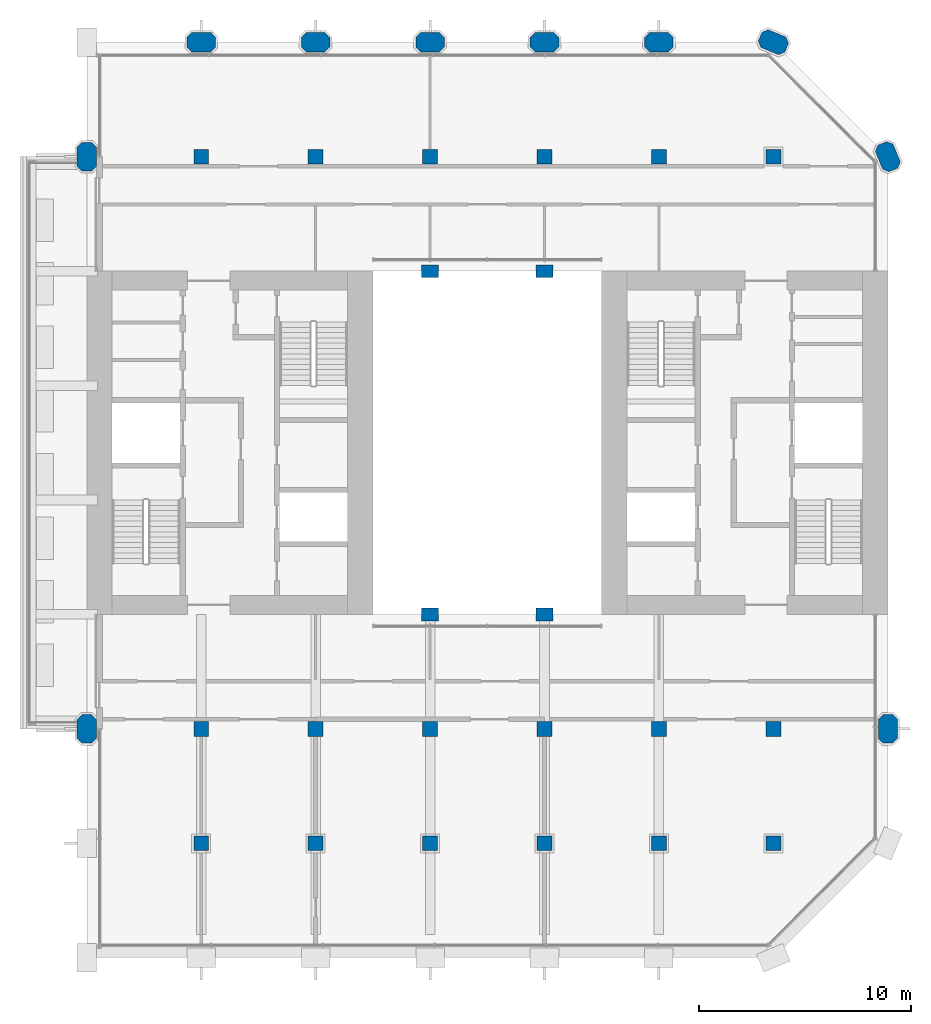
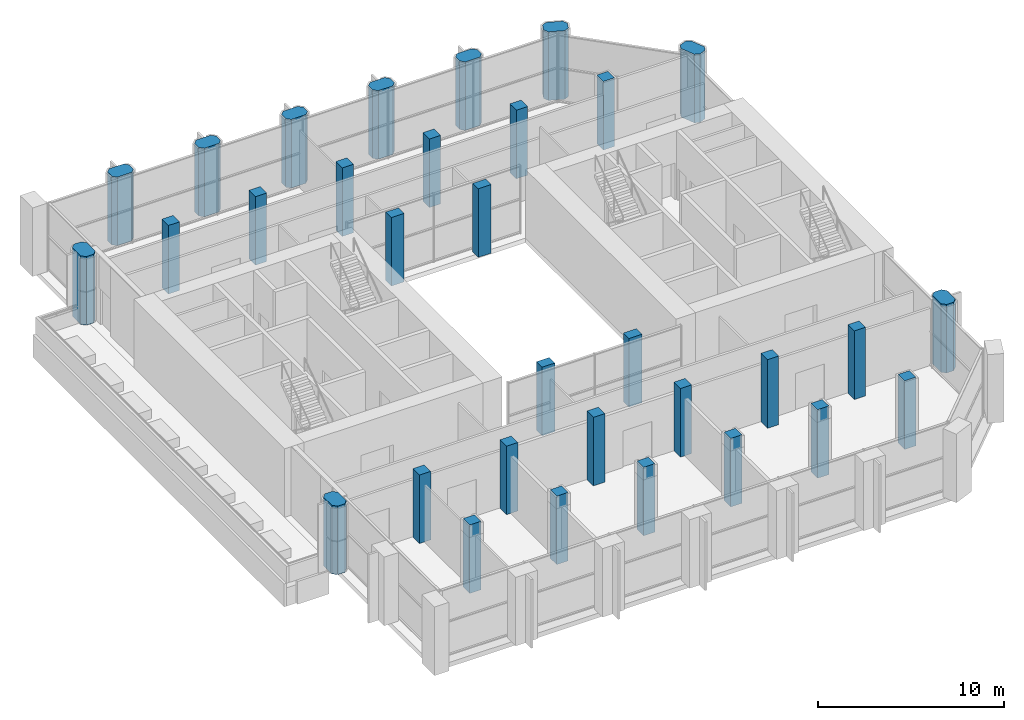
# One storey, part 1 of 14: 32 columns.
"""IFC4 building model written with IfcOpenShell, lengths in metres."""

from ifc_helpers import new_model, si_unit, direction, frame, origin, origin_2d, place, context, subcontext, project, spatial, polyline, rectangle, outline, extrude, material, material_profile, profile_set, type_object, element, save


model = new_model("IFC4")

# Units and contexts
model_context = context("Model", 3, precision=1e-05, world=origin(), true_north=direction((0.0, 1.0)))
body_context = subcontext(model_context, "Body", "Model", "MODEL_VIEW")
ifc_project = project(units=[si_unit("LENGTHUNIT", "METRE"), si_unit("AREAUNIT", "SQUARE_METRE"), si_unit("VOLUMEUNIT", "CUBIC_METRE"), si_unit("PLANEANGLEUNIT", "RADIAN"), si_unit("MASSUNIT", "GRAM", prefix="KILO")], contexts=[model_context])

# Site, building, storey
site_placement = place(None, origin())
site = spatial("IfcSite", under=ifc_project, at=site_placement, CompositionType="ELEMENT")
building_placement = place(site_placement, origin())
building = spatial("IfcBuilding", under=site, at=building_placement, Name="Tabaq Tower and Sports Hall", CompositionType="ELEMENT")
storey_placement = place(building_placement, frame((0.0, 0.0, 250.89990234375)))
storey = spatial("IfcBuildingStorey", under=building, at=storey_placement, Name="L61", CompositionType="ELEMENT", Elevation=250.89990234375)

# Columns
ifc_material_1 = material(Name="Concrete C40/50", Category="concrete")
ifc_material_profile_1 = material_profile(ifc_material_1, rectangle(XDim=0.800048828125, YDim=0.60009765625, at=origin_2d()), Name="ATRIUM COLUMN 800x600")
ifc_profile_set_1 = profile_set([ifc_material_profile_1], Name="Concrete C40/50")
column_type_1 = type_object("IfcColumnType", Name="RC COLUMN ATRIUM COLUMN 800x600 C40/50", PredefinedType="COLUMN", material=ifc_profile_set_1)
for number, where, z_axis, x_axis, name in (
    (1, (21.60009765625, 16.199951171875, 0.0), (0.0, 0.0, 1.0), (1.0, 0.0, 0.0), "Atrium Column 5/D L61"),
    (2, (27.0, 16.199951171875, 0.0), (0.0, 0.0, 1.0), (1.0, 0.0, 0.0), "Atrium Column 6/D L61"),
    (3, (21.60009765625, 32.39990234375, 0.0), (0.0, 0.0, 1.0), (1.0, 0.0, 0.0), "Atrium Column 5/G L61"),
    (4, (27.0, 32.39990234375, 0.0), (0.0, 0.0, 1.0), (1.0, 0.0, 0.0), "Atrium Column 6/G L61"),
):
    element("IfcColumn", number, at=place(storey_placement, frame(where, z_axis=z_axis, x_axis=x_axis)), inside=storey, type_object=column_type_1, Name=name, PredefinedType="COLUMN", context=body_context, shape_type="SweptSolid", body=[
        extrude(rectangle(XDim=0.800048828125, YDim=0.60009765625, at=origin_2d()), origin(), (0.0, 0.0, 1.0), 4.5),
    ])
ifc_material_2 = material(Name="Concrete C40/50", Category="concrete")
ifc_material_profile_2 = material_profile(ifc_material_2, rectangle(XDim=0.699951171875, YDim=0.699951171875, at=origin_2d()), Name="COLUMN 700x700")
ifc_profile_set_2 = profile_set([ifc_material_profile_2], Name="Concrete C40/50")
column_type_2 = type_object("IfcColumnType", Name="RC COLUMN COLUMN 700x700 C40/50", PredefinedType="COLUMN", material=ifc_profile_set_2)
for number, where, z_axis, x_axis, name in (
    (5, (10.800048828125, 5.39990234375, 0.0), (0.0, 0.0, 1.0), (1.0, 0.0, 0.0), "Column 3/B L61"),
    (6, (16.199951171875, 5.39990234375, 0.0), (0.0, 0.0, 1.0), (1.0, 0.0, 0.0), "Column 4/B L61"),
    (7, (21.60009765625, 5.39990234375, 0.0), (0.0, 0.0, 1.0), (1.0, 0.0, 0.0), "Column 5/B L61"),
    (8, (27.0, 5.39990234375, 0.0), (0.0, 0.0, 1.0), (1.0, 0.0, 0.0), "Column 6/B L61"),
    (9, (32.39990234375, 5.39990234375, 0.0), (0.0, 0.0, 1.0), (1.0, 0.0, 0.0), "Column 7/B L61"),
    (10, (37.800048828125, 5.39990234375, 0.0), (0.0, 0.0, 1.0), (1.0, 0.0, 0.0), "Column 8/B L61"),
    (11, (10.800048828125, 10.800048828125, 0.0), (0.0, 0.0, 1.0), (1.0, 0.0, 0.0), "Column 3/C L61"),
    (12, (16.199951171875, 10.800048828125, 0.0), (0.0, 0.0, 1.0), (1.0, 0.0, 0.0), "Column 4/C L61"),
    (13, (21.60009765625, 10.800048828125, 0.0), (0.0, 0.0, 1.0), (1.0, 0.0, 0.0), "Column 5/C L61"),
    (14, (27.0, 10.800048828125, 0.0), (0.0, 0.0, 1.0), (1.0, 0.0, 0.0), "Column 6/C L61"),
    (15, (32.39990234375, 10.800048828125, 0.0), (0.0, 0.0, 1.0), (1.0, 0.0, 0.0), "Column 7/C L61"),
    (16, (37.800048828125, 10.800048828125, 0.0), (0.0, 0.0, 1.0), (1.0, 0.0, 0.0), "Column 8/C L61"),
    (17, (10.800048828125, 37.800048828125, 0.0), (0.0, 0.0, 1.0), (1.0, 0.0, 0.0), "Column 3/H L61"),
    (18, (16.199951171875, 37.800048828125, 0.0), (0.0, 0.0, 1.0), (1.0, 0.0, 0.0), "Column 4/H L61"),
    (19, (21.60009765625, 37.800048828125, 0.0), (0.0, 0.0, 1.0), (1.0, 0.0, 0.0), "Column 5/H L61"),
    (20, (27.0, 37.800048828125, 0.0), (0.0, 0.0, 1.0), (1.0, 0.0, 0.0), "Column 6/H L61"),
    (21, (32.39990234375, 37.800048828125, 0.0), (0.0, 0.0, 1.0), (1.0, 0.0, 0.0), "Column 7/H L61"),
    (22, (37.800048828125, 37.800048828125, 0.0), (0.0, 0.0, 1.0), (1.0, 0.0, 0.0), "Column 8/H L61"),
):
    element("IfcColumn", number, at=place(storey_placement, frame(where, z_axis=z_axis, x_axis=x_axis)), inside=storey, type_object=column_type_2, Name=name, PredefinedType="COLUMN", context=body_context, shape_type="SweptSolid", body=[
        extrude(rectangle(XDim=0.699951171875, YDim=0.699951171875, at=origin_2d()), origin(), (0.0, 0.0, 1.0), 4.5),
    ])
ifc_material_3 = material(Name="Concrete C40/50", Category="concrete")
ifc_material_profile_3 = material_profile(ifc_material_3, outline(polyline([(-0.449951171875, -0.449951171875), (0.449951171875, -0.449951171875), (0.675048828125, -0.22509765625), (0.675048828125, 0.22509765625), (0.449951171875, 0.449951171875), (-0.449951171875, 0.449951171875), (-0.675048828125, 0.22509765625), (-0.675048828125, -0.22509765625), (-0.449951171875, -0.449951171875)])), Name="PIER 1350x900")
ifc_profile_set_3 = profile_set([ifc_material_profile_3], Name="Concrete C40/50")
column_type_3 = type_object("IfcColumnType", Name="RC COLUMN PIER 1350x900 C40/50", PredefinedType="COLUMN", material=ifc_profile_set_3)
for number, where, z_axis, x_axis, name in (
    (23, (5.39990234375, 10.800048828125, 0.0), (0.0, 0.0, 1.0), (0.0, 1.0, 0.0), "Pier 2/C L61"),
    (24, (43.199951171875, 10.800048828125, 0.0), (0.0, 0.0, 1.0), (0.0, 1.0, 0.0), "Pier 9/C L61"),
    (25, (5.39990234375, 37.800048828125, 0.0), (0.0, 0.0, 1.0), (0.0, 1.0, 0.0), "Pier 2/H L61"),
    (26, (43.199951171875, 37.800048828125, 0.0), (0.0, 0.0, 1.0), (-0.382683432365, 0.923879532511, 0.0), "Pier 9/H L61"),
    (27, (10.800048828125, 43.199951171875, 0.0), (0.0, 0.0, 1.0), (1.0, 0.0, 0.0), "Pier 3/I L61"),
    (28, (16.199951171875, 43.199951171875, 0.0), (0.0, 0.0, 1.0), (1.0, 0.0, 0.0), "Pier 4/I L61"),
    (29, (21.60009765625, 43.199951171875, 0.0), (0.0, 0.0, 1.0), (1.0, 0.0, 0.0), "Pier 5/I L61"),
    (30, (27.0, 43.199951171875, 0.0), (0.0, 0.0, 1.0), (1.0, 0.0, 0.0), "Pier 6/I L61"),
    (31, (32.39990234375, 43.199951171875, 0.0), (0.0, 0.0, 1.0), (1.0, 0.0, 0.0), "Pier 7/I L61"),
    (32, (37.800048828125, 43.199951171875, 0.0), (0.0, 0.0, 1.0), (-0.923879532511, 0.382683432365, 0.0), "Pier 8/I L61"),
):
    element("IfcColumn", number, at=place(storey_placement, frame(where, z_axis=z_axis, x_axis=x_axis)), inside=storey, type_object=column_type_3, Name=name, PredefinedType="COLUMN", context=body_context, shape_type="SweptSolid", body=[
        extrude(outline(polyline([(-0.449951171875, -0.449951171875), (0.449951171875, -0.449951171875), (0.675048828125, -0.22509765625), (0.675048828125, 0.22509765625), (0.449951171875, 0.449951171875), (-0.449951171875, 0.449951171875), (-0.675048828125, 0.22509765625), (-0.675048828125, -0.22509765625), (-0.449951171875, -0.449951171875)])), origin(), (0.0, 0.0, 1.0), 4.5),
    ])

save(model, "model.ifc")
